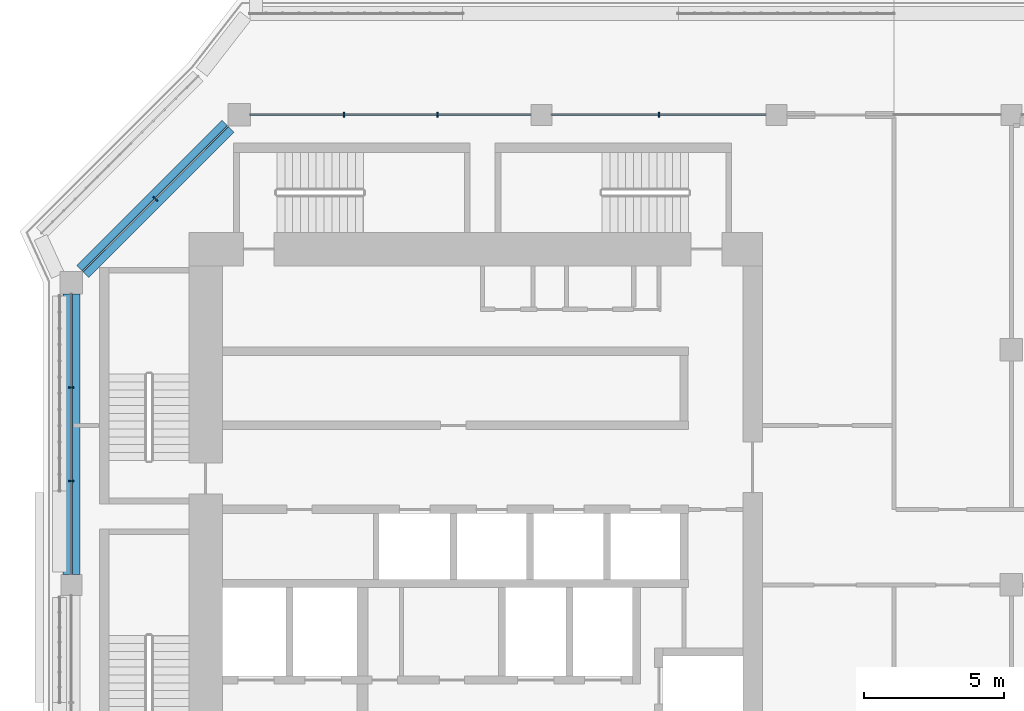
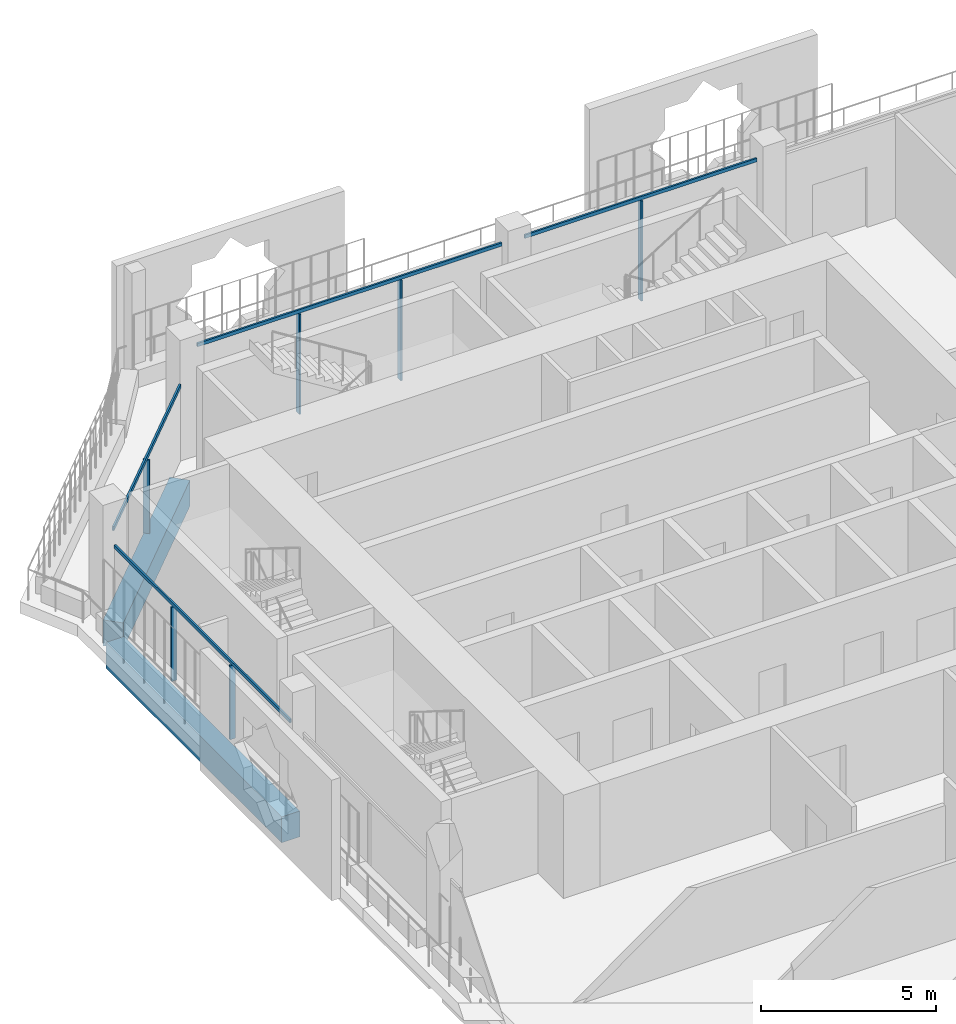
# One storey, part 6 of 22: 10 members, 2 beams, 3 elements without a shape of their own.
"""IFC4 building model written with IfcOpenShell, lengths in metres."""

from ifc_helpers import new_model, si_unit, direction, frame, origin, origin_2d, place, context, subcontext, project, spatial, rectangle, extrude, material, layer, layer_set, material_profile, profile_set, type_object, element, aggregate, save


model = new_model("IFC4")

# Units and contexts
model_context = context("Model", 3, precision=1e-05, world=origin(), true_north=direction((0.0, 1.0)))
body_context = subcontext(model_context, "Body", "Model", "MODEL_VIEW")
ifc_project = project(units=[si_unit("LENGTHUNIT", "METRE"), si_unit("AREAUNIT", "SQUARE_METRE"), si_unit("VOLUMEUNIT", "CUBIC_METRE"), si_unit("PLANEANGLEUNIT", "RADIAN"), si_unit("MASSUNIT", "GRAM", prefix="KILO")], contexts=[model_context])

# Site, building, storey
site_placement = place(None, origin())
site = spatial("IfcSite", under=ifc_project, at=site_placement, CompositionType="ELEMENT")
building_placement = place(site_placement, origin())
building = spatial("IfcBuilding", under=site, at=building_placement, Name="Kawkab Arch Medical Tower", CompositionType="ELEMENT")
storey_placement = place(building_placement, frame((0.0, 0.0, 298.60009765625)))
storey = spatial("IfcBuildingStorey", under=building, at=storey_placement, Name="L69", CompositionType="ELEMENT", Elevation=298.60009765625)

# Curtain wall, members
ifc_material_1 = material(Name="Bronze anodised aluminium curtain wall frame", Category="aluminium")
ifc_layer_1 = layer(ifc_material_1, 0.159912109375)
ifc_layer_set_1 = layer_set([ifc_layer_1], Name="Bronze anodised aluminium curtain wall frame")
curtain_wall_type_1 = type_object("IfcCurtainWallType", Name="CW1 ward curtain wall", PredefinedType="NOTDEFINED", material=ifc_layer_set_1)
placement = place(storey_placement, origin())
curtain_wall_1 = element("IfcCurtainWall", 1, at=placement, inside=storey, type_object=curtain_wall_type_1, Name="CW1 Ward curtain wall R02", PredefinedType="NOTDEFINED")
ifc_material_2 = material(Name="Bronze anodised aluminium curtain wall frame", Category="aluminium")
ifc_material_profile_1 = material_profile(ifc_material_2, rectangle(XDim=0.179931640625, YDim=0.06005859375, at=origin_2d()), Name="AL 60x180")
ifc_profile_set_1 = profile_set([ifc_material_profile_1], Name="Bronze anodised aluminium curtain wall frame")
member_type_1 = type_object("IfcMemberType", Name="CW1 mullion 60 x 180", PredefinedType="MULLION", material=ifc_profile_set_1)
member_1_placement = place(storey_placement, frame((0.0, -9.74169921875, 0.0), z_axis=(0.0, 0.0, 1.0), x_axis=(1.0, 0.0, 0.0)))
member_1 = element("IfcMember", 2, at=member_1_placement, type_object=member_type_1, Name="CW1 mullion 1.1", PredefinedType="MULLION", context=body_context, shape_type="SweptSolid", body=[
    extrude(rectangle(XDim=0.179931640625, YDim=0.06005859375, at=origin_2d()), origin(), (0.0, 0.0, 1.0), 2.579833984375),
])
member_2_placement = place(storey_placement, frame((0.0, -13.083251953125, 0.0), z_axis=(0.0, 0.0, 1.0), x_axis=(1.0, 0.0, 0.0)))
member_2 = element("IfcMember", 3, at=member_2_placement, type_object=member_type_1, Name="CW1 mullion 1.2", PredefinedType="MULLION", context=body_context, shape_type="SweptSolid", body=[
    extrude(rectangle(XDim=0.179931640625, YDim=0.06005859375, at=origin_2d()), origin(), (0.0, 0.0, 1.0), 2.579833984375),
])

curtain_wall_2 = element("IfcCurtainWall", 4, at=placement, inside=storey, type_object=curtain_wall_type_1, Name="CW1 Ward curtain wall R15", PredefinedType="NOTDEFINED")
member_3_placement = place(storey_placement, frame((21.0, 0.0, 0.0), z_axis=(0.0, 0.0, 1.0), x_axis=(0.0, -1.0, 0.0)))
member_3 = element("IfcMember", 5, at=member_3_placement, type_object=member_type_1, Name="CW1 mullion 4.1", PredefinedType="MULLION", context=body_context, shape_type="SweptSolid", body=[
    extrude(rectangle(XDim=0.179931640625, YDim=0.06005859375, at=origin_2d()), origin(), (0.0, 0.0, 1.0), 3.47998046875),
])
member_4_placement = place(storey_placement, frame((13.083251953125, 0.0, 0.0), z_axis=(0.0, 0.0, 1.0), x_axis=(0.0, -1.0, 0.0)))
member_4 = element("IfcMember", 6, at=member_4_placement, type_object=member_type_1, Name="CW1 mullion 5.1", PredefinedType="MULLION", context=body_context, shape_type="SweptSolid", body=[
    extrude(rectangle(XDim=0.179931640625, YDim=0.06005859375, at=origin_2d()), origin(), (0.0, 0.0, 1.0), 3.47998046875),
])
member_5_placement = place(storey_placement, frame((9.74169921875, 0.0, 0.0), z_axis=(0.0, 0.0, 1.0), x_axis=(0.0, -1.0, 0.0)))
member_5 = element("IfcMember", 7, at=member_5_placement, type_object=member_type_1, Name="CW1 mullion 5.2", PredefinedType="MULLION", context=body_context, shape_type="SweptSolid", body=[
    extrude(rectangle(XDim=0.179931640625, YDim=0.06005859375, at=origin_2d()), origin(), (0.0, 0.0, 1.0), 3.47998046875),
])

# Member
ifc_material_3 = material(Name="Bronze anodised aluminium curtain wall frame", Category="aluminium")
ifc_material_profile_2 = material_profile(ifc_material_3, rectangle(XDim=0.06005859375, YDim=0.1201171875, at=origin_2d()), Name="AL 60x120")
ifc_profile_set_2 = profile_set([ifc_material_profile_2], Name="Bronze anodised aluminium curtain wall frame")
member_type_2 = type_object("IfcMemberType", Name="CW1 transom 120 x 60", PredefinedType="USERDEFINED", material=ifc_profile_set_2)
member_6_placement = place(storey_placement, frame((0.0, -6.39990234375, 2.639892578125), z_axis=(0.0, -1.0, 0.0), x_axis=(1.0, 0.0, 0.0)))
member_6 = element("IfcMember", 8, at=member_6_placement, type_object=member_type_2, Name="CW1 transom 1", ObjectType="TRANSOM", PredefinedType="USERDEFINED", context=body_context, shape_type="SweptSolid", body=[
    extrude(rectangle(XDim=0.06005859375, YDim=0.1201171875, at=origin_2d()), origin(), (0.0, 0.0, 1.0), 10.025146484375),
])

aggregate(curtain_wall_1, [member_6, member_1, member_2])

member_7_placement = place(storey_placement, frame((24.824951171875, 0.0, 3.539794921875), z_axis=(-1.0, 0.0, 0.0), x_axis=(0.0, -1.0, 0.0)))
member_7 = element("IfcMember", 9, at=member_7_placement, type_object=member_type_2, Name="CW1 transom 4", ObjectType="TRANSOM", PredefinedType="USERDEFINED", context=body_context, shape_type="SweptSolid", body=[
    extrude(rectangle(XDim=0.06005859375, YDim=0.1201171875, at=origin_2d()), origin(), (0.0, 0.0, 1.0), 7.64990234375),
])

member_8_placement = place(storey_placement, frame((16.425048828125, 0.0, 3.539794921875), z_axis=(-1.0, 0.0, 0.0), x_axis=(0.0, -1.0, 0.0)))
member_8 = element("IfcMember", 10, at=member_8_placement, type_object=member_type_2, Name="CW1 transom 5", ObjectType="TRANSOM", PredefinedType="USERDEFINED", context=body_context, shape_type="SweptSolid", body=[
    extrude(rectangle(XDim=0.06005859375, YDim=0.1201171875, at=origin_2d()), origin(), (0.0, 0.0, 1.0), 10.025146484375),
])

aggregate(curtain_wall_2, [member_7, member_3, member_8, member_4, member_5])

# Curtain wall, members
ifc_material_4 = material(Name="Bronze anodised aluminium curtain wall frame", Category="aluminium")
ifc_layer_2 = layer(ifc_material_4, 0.159912109375)
ifc_layer_set_2 = layer_set([ifc_layer_2], Name="Bronze anodised aluminium curtain wall frame")
curtain_wall_type_2 = type_object("IfcCurtainWallType", Name="CW2 chamfer curtain wall", PredefinedType="NOTDEFINED", material=ifc_layer_set_2)
curtain_wall_3 = element("IfcCurtainWall", 11, at=placement, inside=storey, type_object=curtain_wall_type_2, Name="CW2 Chamfer curtain wall R01", PredefinedType="NOTDEFINED")
ifc_material_5 = material(Name="Bronze anodised aluminium curtain wall frame", Category="aluminium")
ifc_material_profile_3 = material_profile(ifc_material_5, rectangle(XDim=0.199951171875, YDim=0.06005859375, at=origin_2d()), Name="AL 60x200")
ifc_profile_set_3 = profile_set([ifc_material_profile_3], Name="Bronze anodised aluminium curtain wall frame")
member_type_3 = type_object("IfcMemberType", Name="CW2 mullion 60 x 200", PredefinedType="MULLION", material=ifc_profile_set_3)
member_9_placement = place(storey_placement, frame((3.0, -3.0, 0.0), z_axis=(0.0, 0.0, 1.0), x_axis=(0.707106781187, -0.707106781187, 0.0)))
member_9 = element("IfcMember", 12, at=member_9_placement, type_object=member_type_3, Name="CW2 mullion 1.1", PredefinedType="MULLION", context=body_context, shape_type="SweptSolid", body=[
    extrude(rectangle(XDim=0.199951171875, YDim=0.06005859375, at=origin_2d()), origin(), (0.0, 0.0, 1.0), 2.559814453125),
])
ifc_material_6 = material(Name="Bronze anodised aluminium curtain wall frame", Category="aluminium")
ifc_material_profile_4 = material_profile(ifc_material_6, rectangle(XDim=0.06005859375, YDim=0.139892578125, at=origin_2d()), Name="AL 60x140")
ifc_profile_set_4 = profile_set([ifc_material_profile_4], Name="Bronze anodised aluminium curtain wall frame")
member_type_4 = type_object("IfcMemberType", Name="CW2 transom 140 x 60", PredefinedType="USERDEFINED", material=ifc_profile_set_4)
member_10_placement = place(storey_placement, frame((5.60009765625, -0.39990234375, 2.6298828125), z_axis=(-0.707106781187, -0.707106781187, 0.0), x_axis=(0.707106781187, -0.707106781187, 0.0)))
member_10 = element("IfcMember", 13, at=member_10_placement, type_object=member_type_4, Name="CW2 transom 1", ObjectType="TRANSOM", PredefinedType="USERDEFINED", context=body_context, shape_type="SweptSolid", body=[
    extrude(rectangle(XDim=0.06005859375, YDim=0.139892578125, at=origin_2d()), origin(), (0.0, 0.0, 1.0), 7.354248046875),
])
aggregate(curtain_wall_3, [member_10, member_9])

# Beams
ifc_material_7 = material(Name="Concrete C40/50", Category="concrete")
ifc_material_profile_5 = material_profile(ifc_material_7, rectangle(XDim=0.60009765625, YDim=0.89990234375, at=origin_2d()), Name="RC 600x900")
ifc_profile_set_5 = profile_set([ifc_material_profile_5], Name="Concrete C40/50")
beam_type = type_object("IfcBeamType", Name="RC 600x900 beam C40/50", PredefinedType="BEAM", material=ifc_profile_set_5)
beam_1_placement = place(storey_placement, frame((0.39990234375, -5.60009765625, -1.050048828125), z_axis=(0.707106781187, 0.707106781187, 0.0), x_axis=(-0.707106781187, 0.707106781187, 0.0)))
element("IfcBeam", 14, at=beam_1_placement, inside=storey, type_object=beam_type, Name="Overhang edge beam L69-01", PredefinedType="BEAM", context=body_context, shape_type="SweptSolid", body=[
    extrude(rectangle(XDim=0.60009765625, YDim=0.89990234375, at=origin_2d()), origin(), (0.0, 0.0, 1.0), 7.354248046875),
])
beam_2_placement = place(storey_placement, frame((0.0, -16.425048828125, -1.050048828125), z_axis=(0.0, 1.0, 0.0), x_axis=(-1.0, 0.0, 0.0)))
element("IfcBeam", 15, at=beam_2_placement, inside=storey, type_object=beam_type, Name="Overhang edge beam L69-05", PredefinedType="BEAM", context=body_context, shape_type="SweptSolid", body=[
    extrude(rectangle(XDim=0.60009765625, YDim=0.89990234375, at=origin_2d()), origin(), (0.0, 0.0, 1.0), 10.025146484375),
])

save(model, "model.ifc")
